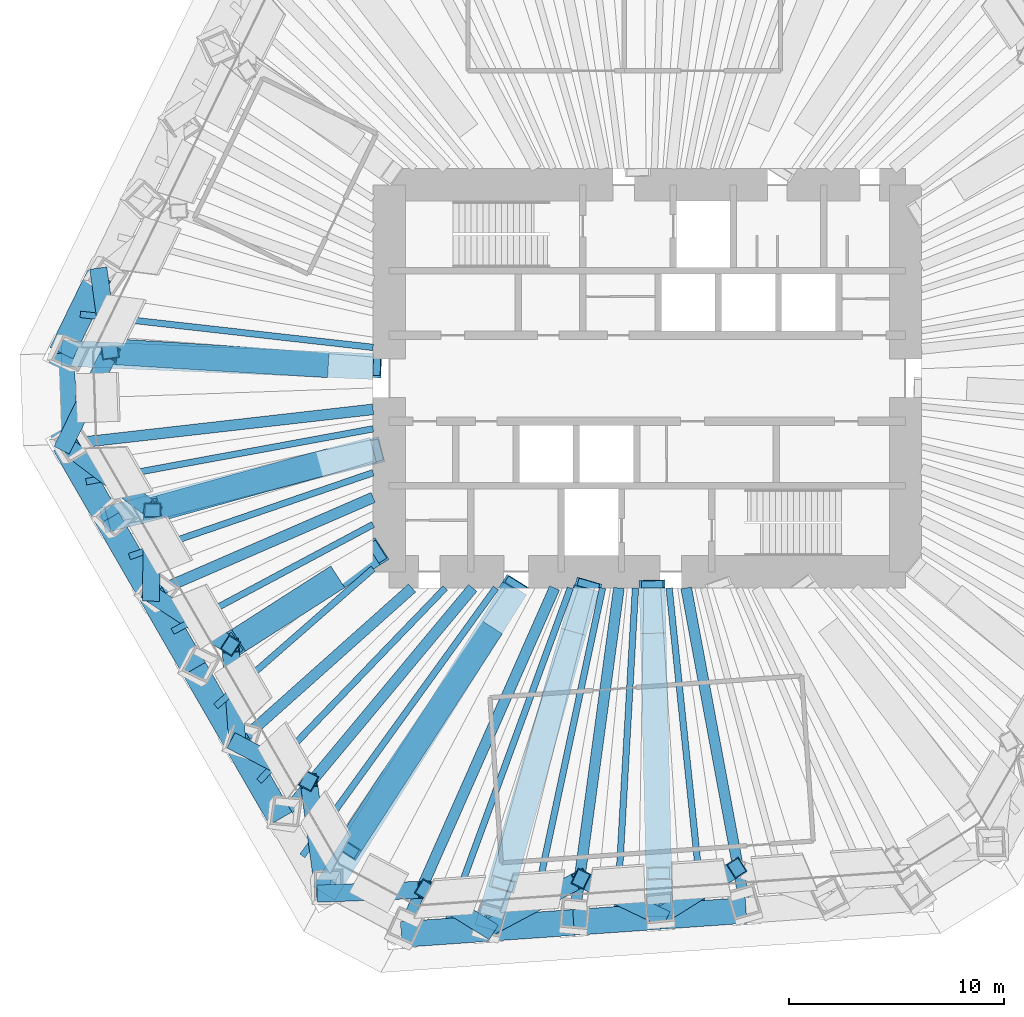
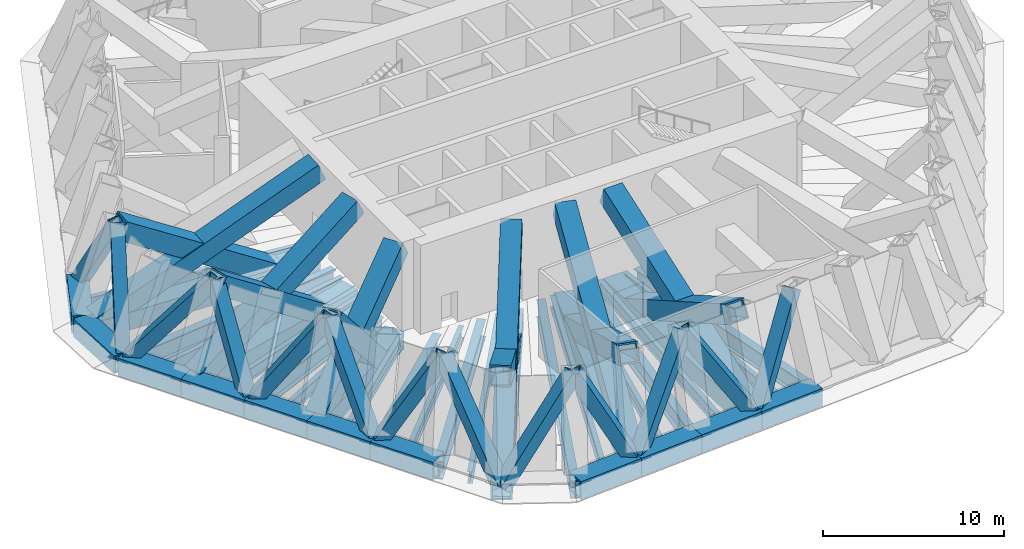
# One storey, part 2 of 12: 36 members, 24 beams.
"""IFC4 building model written with IfcOpenShell, lengths in metres."""

from ifc_helpers import new_model, si_unit, direction, frame, origin, origin_2d, place, context, subcontext, project, spatial, hollow_rectangle, i_section, extrude, material, material_profile, profile_set, type_object, element, save


model = new_model("IFC4")

# Units and contexts
model_context = context("Model", 3, precision=1e-05, world=origin(), true_north=direction((0.0, 1.0)))
body_context = subcontext(model_context, "Body", "Model", "MODEL_VIEW")
ifc_project = project(units=[si_unit("LENGTHUNIT", "METRE"), si_unit("AREAUNIT", "SQUARE_METRE"), si_unit("VOLUMEUNIT", "CUBIC_METRE"), si_unit("PLANEANGLEUNIT", "RADIAN"), si_unit("MASSUNIT", "GRAM", prefix="KILO")], contexts=[model_context])

# Site, building, storey
site_placement = place(None, origin())
site = spatial("IfcSite", under=ifc_project, at=site_placement, CompositionType="ELEMENT")
building_placement = place(site_placement, origin())
building = spatial("IfcBuilding", under=site, at=building_placement, Name="Qingtian Harvest Tower", CompositionType="ELEMENT")
storey_placement = place(building_placement, frame((0.0, 0.0, 174.39990234375)))
storey = spatial("IfcBuildingStorey", under=building, at=storey_placement, Name="L37", CompositionType="ELEMENT", Elevation=174.39990234375)

# Members
ifc_material_1 = material(Name="Steel SM570MC", Category="steel")
ifc_material_profile_1 = material_profile(ifc_material_1, hollow_rectangle(XDim=1.199951171875, YDim=1.199951171875, WallThickness=0.10009765625, at=origin_2d()), Name="BOX1200x1200x100")
ifc_profile_set_1 = profile_set([ifc_material_profile_1], Name="Steel SM570MC")
member_type_1 = type_object("IfcMemberType", Name="Belt truss chord BC2 BOX1200x1200x100", PredefinedType="CHORD", material=ifc_profile_set_1)
for number, where, z_axis, x_axis, name in (
    (1, (4.591552734375, -24.739990234375, -0.599853515625), (-0.997565479251, -0.069736035208, 0.0), (0.069736035208, -0.997565479251, 0.0), "Belt chord BC2 S2"),
    (2, (0.582275390625, -25.020263671875, -0.599853515625), (-0.997561251588, -0.069796485086, 0.0), (0.069796485086, -0.997561251588, 0.0), "Belt chord BC2 S3"),
    (3, (-3.427001953125, -25.30078125, -0.599853515625), (-0.997565479251, -0.069736035208, 0.0), (0.069736035208, -0.997565479251, 0.0), "Belt chord BC2 S4"),
    (4, (-7.436279296875, -25.5810546875, -0.599853515625), (-0.997565479251, -0.069736035208, 0.0), (0.069736035208, -0.997565479251, 0.0), "Belt chord BC2 S5"),
    (5, (-17.04931640625, -20.4697265625, -0.599853515625), (-0.499987116613, 0.866032841884, 0.0), (-0.866032841884, -0.499987116613, 0.0), "Belt chord BC2 SW1"),
    (6, (-19.058837890625, -16.989013671875, -0.599853515625), (-0.500013420409, 0.866017655369, 0.0), (-0.866017655369, -0.500013420409, 0.0), "Belt chord BC2 SW2"),
    (7, (-21.068359375, -13.508544921875, -0.599853515625), (-0.499987116613, 0.866032841884, 0.0), (-0.866032841884, -0.499987116613, 0.0), "Belt chord BC2 SW3"),
    (8, (-23.077880859375, -10.02783203125, -0.599853515625), (-0.499987116613, 0.866032841884, 0.0), (-0.866032841884, -0.499987116613, 0.0), "Belt chord BC2 SW4"),
    (9, (-25.08740234375, -6.547119140625, -0.599853515625), (-0.500013420409, 0.866017655369, 0.0), (-0.866017655369, -0.500013420409, 0.0), "Belt chord BC2 SW5"),
):
    element("IfcMember", number, at=place(storey_placement, frame(where, z_axis=z_axis, x_axis=x_axis)), inside=storey, type_object=member_type_1, Name=name, PredefinedType="CHORD", context=body_context, shape_type="SweptSolid", body=[
        extrude(hollow_rectangle(XDim=1.199951171875, YDim=1.199951171875, WallThickness=0.10009765625, at=origin_2d()), origin(), (0.0, 0.0, 1.0), 4.01904296875),
    ])
member_1_placement = place(storey_placement, frame((-27.096923828125, -3.066650390625, -0.599853515625), z_axis=(-0.034908677553, 0.999390506375, 0.0), x_axis=(-0.999390506375, -0.034908677553, 0.0)))
element("IfcMember", 10, at=member_1_placement, inside=storey, type_object=member_type_1, Name="Belt chord BC2 SWC", PredefinedType="CHORD", context=body_context, shape_type="SweptSolid", body=[
    extrude(hollow_rectangle(XDim=1.199951171875, YDim=1.199951171875, WallThickness=0.10009765625, at=origin_2d()), origin(), (0.0, 0.0, 1.0), 4.23828125),
])
member_2_placement = place(storey_placement, frame((-27.244873046875, 1.1689453125, -0.599853515625), z_axis=(0.438347033158, 0.898805806902, 0.0), x_axis=(-0.898805806902, 0.438347033158, 0.0)))
element("IfcMember", 11, at=member_2_placement, inside=storey, type_object=member_type_1, Name="Belt chord BC2 NW0", PredefinedType="CHORD", context=body_context, shape_type="SweptSolid", body=[
    extrude(hollow_rectangle(XDim=1.199951171875, YDim=1.199951171875, WallThickness=0.10009765625, at=origin_2d()), origin(), (0.0, 0.0, 1.0), 4.01904296875),
])
ifc_material_2 = material(Name="Steel SM570MC", Category="steel")
ifc_material_profile_2 = material_profile(ifc_material_2, hollow_rectangle(XDim=0.800048828125, YDim=0.800048828125, WallThickness=0.050048828125, at=origin_2d()), Name="BOX800x800x50")
ifc_profile_set_2 = profile_set([ifc_material_profile_2], Name="Steel SM570MC")
member_type_2 = type_object("IfcMemberType", Name="Belt truss diagonal BD2 BOX800x800x50", PredefinedType="BRACE", material=ifc_profile_set_2)
member_3_placement = place(storey_placement, frame((4.160400390625, -22.76513671875, 5.400146484375), z_axis=(-0.487424274805, -0.307201011625, -0.817340268669), x_axis=(0.533191367359, -0.845994660606, 0.0)))
element("IfcMember", 12, at=member_3_placement, inside=storey, type_object=member_type_2, Name="Belt truss diagonal BD2 L37 S2", PredefinedType="BRACE", context=body_context, shape_type="SweptSolid", body=[
    extrude(hollow_rectangle(XDim=0.800048828125, YDim=0.800048828125, WallThickness=0.050048828125, at=origin_2d()), origin(), (0.0, 0.0, 1.0), 7.3408203125),
])
member_4_placement = place(storey_placement, frame((0.582275390625, -25.020263671875, -0.599853515625), z_axis=(-0.506531903841, 0.241173589008, 0.827804765846), x_axis=(-0.429886968298, -0.902882713584, 0.0)))
element("IfcMember", 13, at=member_4_placement, inside=storey, type_object=member_type_2, Name="Belt truss diagonal BD2 L37 S3", PredefinedType="BRACE", context=body_context, shape_type="SweptSolid", body=[
    extrude(hollow_rectangle(XDim=0.800048828125, YDim=0.800048828125, WallThickness=0.050048828125, at=origin_2d()), origin(), (0.0, 0.0, 1.0), 7.248046875),
])
member_5_placement = place(storey_placement, frame((-3.089111328125, -23.272216796875, 5.400146484375), z_axis=(-0.56015089039, -0.297503480311, -0.773125254534), x_axis=(0.469060935438, -0.883165804844, 0.0)))
element("IfcMember", 14, at=member_5_placement, inside=storey, type_object=member_type_2, Name="Belt truss diagonal BD2 L37 S4", PredefinedType="BRACE", context=body_context, shape_type="SweptSolid", body=[
    extrude(hollow_rectangle(XDim=0.800048828125, YDim=0.800048828125, WallThickness=0.050048828125, at=origin_2d()), origin(), (0.0, 0.0, 1.0), 7.7607421875),
])
member_6_placement = place(storey_placement, frame((-7.436279296875, -25.5810546875, -0.599853515625), z_axis=(-0.420332047182, 0.260996958043, 0.869023335707), x_axis=(-0.527510514908, -0.849548501654, 0.0)))
element("IfcMember", 15, at=member_6_placement, inside=storey, type_object=member_type_2, Name="Belt truss diagonal BD2 L37 S5", PredefinedType="BRACE", context=body_context, shape_type="SweptSolid", body=[
    extrude(hollow_rectangle(XDim=0.800048828125, YDim=0.800048828125, WallThickness=0.050048828125, at=origin_2d()), origin(), (0.0, 0.0, 1.0), 6.904296875),
])
member_7_placement = place(storey_placement, frame((-10.33837890625, -23.779052734375, 5.400146484375), z_axis=(-0.616621250516, -0.02247848148, -0.786938975577), x_axis=(0.036430078178, -0.99933620439, 0.0)))
element("IfcMember", 16, at=member_7_placement, inside=storey, type_object=member_type_2, Name="Belt truss diagonal BD2 L37 S6", PredefinedType="BRACE", context=body_context, shape_type="SweptSolid", body=[
    extrude(hollow_rectangle(XDim=0.800048828125, YDim=0.800048828125, WallThickness=0.050048828125, at=origin_2d()), origin(), (0.0, 0.0, 1.0), 7.62451171875),
])
member_8_placement = place(storey_placement, frame((-15.039794921875, -23.950439453125, -0.599853515625), z_axis=(-0.088789313539, 0.654431626527, 0.750889941338), x_axis=(-0.990921435942, -0.134442209853, 0.0)))
element("IfcMember", 17, at=member_8_placement, inside=storey, type_object=member_type_2, Name="Belt truss diagonal BD2 L37 SW0", PredefinedType="BRACE", context=body_context, shape_type="SweptSolid", body=[
    extrude(hollow_rectangle(XDim=0.800048828125, YDim=0.800048828125, WallThickness=0.050048828125, at=origin_2d()), origin(), (0.0, 0.0, 1.0), 7.990478515625),
])
member_9_placement = place(storey_placement, frame((-15.749267578125, -18.72119140625, 5.400146484375), z_axis=(-0.468260798872, 0.245080434346, -0.848921318463), x_axis=(-0.463711464568, -0.88598627395, 0.0)))
element("IfcMember", 18, at=member_9_placement, inside=storey, type_object=member_type_2, Name="Belt truss diagonal BD2 L37 SW1", PredefinedType="BRACE", context=body_context, shape_type="SweptSolid", body=[
    extrude(hollow_rectangle(XDim=0.800048828125, YDim=0.800048828125, WallThickness=0.050048828125, at=origin_2d()), origin(), (0.0, 0.0, 1.0), 7.06787109375),
])
member_10_placement = place(storey_placement, frame((-19.058837890625, -16.989013671875, -0.599853515625), z_axis=(-0.042945316791, 0.604632519676, 0.795345972465), x_axis=(-0.997487076918, -0.070848651237, 0.0)))
element("IfcMember", 19, at=member_10_placement, inside=storey, type_object=member_type_2, Name="Belt truss diagonal BD2 L37 SW2", PredefinedType="BRACE", context=body_context, shape_type="SweptSolid", body=[
    extrude(hollow_rectangle(XDim=0.800048828125, YDim=0.800048828125, WallThickness=0.050048828125, at=origin_2d()), origin(), (0.0, 0.0, 1.0), 7.5439453125),
])
member_11_placement = place(storey_placement, frame((-19.3828125, -12.427734375, 5.400146484375), z_axis=(-0.496382434886, 0.322394406008, -0.806018812009), x_axis=(-0.544686429623, -0.838639787623, 0.0)))
element("IfcMember", 20, at=member_11_placement, inside=storey, type_object=member_type_2, Name="Belt truss diagonal BD2 L37 SW3", PredefinedType="BRACE", context=body_context, shape_type="SweptSolid", body=[
    extrude(hollow_rectangle(XDim=0.800048828125, YDim=0.800048828125, WallThickness=0.050048828125, at=origin_2d()), origin(), (0.0, 0.0, 1.0), 7.444091796875),
])
member_12_placement = place(storey_placement, frame((-23.077880859375, -10.02783203125, -0.599853515625), z_axis=(0.008601223718, 0.544334586713, 0.838824103527), x_axis=(-0.999875181973, 0.015799382108, 0.0)))
element("IfcMember", 21, at=member_12_placement, inside=storey, type_object=member_type_2, Name="Belt truss diagonal BD2 L37 SW4", PredefinedType="BRACE", context=body_context, shape_type="SweptSolid", body=[
    extrude(hollow_rectangle(XDim=0.800048828125, YDim=0.800048828125, WallThickness=0.050048828125, at=origin_2d()), origin(), (0.0, 0.0, 1.0), 7.15283203125),
])
member_13_placement = place(storey_placement, frame((-23.016357421875, -6.13427734375, 5.400146484375), z_axis=(-0.517976211724, 0.389396380299, -0.761623990627), x_axis=(-0.600902525908, -0.799322309433, 0.0)))
element("IfcMember", 22, at=member_13_placement, inside=storey, type_object=member_type_2, Name="Belt truss diagonal BD2 L37 SW5", PredefinedType="BRACE", context=body_context, shape_type="SweptSolid", body=[
    extrude(hollow_rectangle(XDim=0.800048828125, YDim=0.800048828125, WallThickness=0.050048828125, at=origin_2d()), origin(), (0.0, 0.0, 1.0), 7.8779296875),
])
member_14_placement = place(storey_placement, frame((-27.096923828125, -3.066650390625, -0.599853515625), z_axis=(0.275227042796, 0.561284044234, 0.780519248067), x_axis=(-0.897865202468, 0.440270460283, 0.0)))
element("IfcMember", 23, at=member_14_placement, inside=storey, type_object=member_type_2, Name="Belt truss diagonal BD2 L37 SW6", PredefinedType="BRACE", context=body_context, shape_type="SweptSolid", body=[
    extrude(hollow_rectangle(XDim=0.800048828125, YDim=0.800048828125, WallThickness=0.050048828125, at=origin_2d()), origin(), (0.0, 0.0, 1.0), 7.687255859375),
])
member_15_placement = place(storey_placement, frame((-24.981201171875, 1.248046875, 5.400146484375), z_axis=(-0.071901927499, 0.506111232865, -0.859465841549), x_axis=(-0.99005865636, -0.140655099328, 0.0)))
element("IfcMember", 24, at=member_15_placement, inside=storey, type_object=member_type_2, Name="Belt truss diagonal BD2 L37 NW0", PredefinedType="BRACE", context=body_context, shape_type="SweptSolid", body=[
    extrude(hollow_rectangle(XDim=0.800048828125, YDim=0.800048828125, WallThickness=0.050048828125, at=origin_2d()), origin(), (0.0, 0.0, 1.0), 6.981201171875),
])

# Beams
ifc_material_3 = material(Name="Steel SN490B", Category="steel")
ifc_material_profile_3 = material_profile(ifc_material_3, i_section(OverallWidth=0.300048828125, OverallDepth=0.800048828125, WebThickness=0.013916015625, FlangeThickness=0.02587890625, at=origin_2d()), Name="H800x300x14x26")
ifc_profile_set_3 = profile_set([ifc_material_profile_3], Name="Steel SN490B")
beam_type_1 = type_object("IfcBeamType", Name="Floor joist J1 H800x300x14x26", PredefinedType="JOIST", material=ifc_profile_set_3)
beam_1_placement = place(storey_placement, frame((2.5869140625, -24.880126953125, -0.679931640625), z_axis=(-0.103423163361, 0.994637446148, 0.0), x_axis=(-0.994637446148, -0.103423163361, 0.0)))
element("IfcBeam", 25, at=beam_1_placement, inside=storey, type_object=beam_type_1, Name="Floor joist J1 S2", PredefinedType="JOIST", context=body_context, shape_type="SweptSolid", body=[
    extrude(i_section(OverallWidth=0.300048828125, OverallDepth=0.800048828125, WebThickness=0.013916015625, FlangeThickness=0.02587890625, at=origin_2d()), origin(), (0.0, 0.0, 1.0), 15.211669921875),
])
beam_2_placement = place(storey_placement, frame((-1.42236328125, -25.160400390625, -0.679931640625), z_axis=(0.05643626267, 0.998406204035, 0.0), x_axis=(-0.998406204035, 0.05643626267, 0.0)))
element("IfcBeam", 26, at=beam_2_placement, inside=storey, type_object=beam_type_1, Name="Floor joist J1 S3", PredefinedType="JOIST", context=body_context, shape_type="SweptSolid", body=[
    extrude(i_section(OverallWidth=0.300048828125, OverallDepth=0.800048828125, WebThickness=0.013916015625, FlangeThickness=0.02587890625, at=origin_2d()), origin(), (0.0, 0.0, 1.0), 15.43505859375),
])
beam_3_placement = place(storey_placement, frame((-5.431640625, -25.44091796875, -0.679931640625), z_axis=(0.208799533611, 0.977958462699, 0.0), x_axis=(-0.977958462699, 0.208799533611, 0.0)))
element("IfcBeam", 27, at=beam_3_placement, inside=storey, type_object=beam_type_1, Name="Floor joist J1 S4", PredefinedType="JOIST", context=body_context, shape_type="SweptSolid", body=[
    extrude(i_section(OverallWidth=0.300048828125, OverallDepth=0.800048828125, WebThickness=0.013916015625, FlangeThickness=0.02587890625, at=origin_2d()), origin(), (0.0, 0.0, 1.0), 16.044677734375),
])
beam_4_placement = place(storey_placement, frame((-9.44091796875, -25.72119140625, -0.679931640625), z_axis=(0.344563279886, 0.938763093732, 0.0), x_axis=(-0.938763093732, 0.344563279886, 0.0)))
element("IfcBeam", 28, at=beam_4_placement, inside=storey, type_object=beam_type_1, Name="Floor joist J1 S5", PredefinedType="JOIST", context=body_context, shape_type="SweptSolid", body=[
    extrude(i_section(OverallWidth=0.300048828125, OverallDepth=0.800048828125, WebThickness=0.013916015625, FlangeThickness=0.02587890625, at=origin_2d()), origin(), (0.0, 0.0, 1.0), 17.012939453125),
])
beam_5_placement = place(storey_placement, frame((-16.04443359375, -22.2099609375, -0.679931640625), z_axis=(0.585581016658, 0.810613886465, 0.0), x_axis=(-0.810613886465, 0.585581016658, 0.0)))
element("IfcBeam", 29, at=beam_5_placement, inside=storey, type_object=beam_type_1, Name="Floor joist J1 SW0", PredefinedType="JOIST", context=body_context, shape_type="SweptSolid", body=[
    extrude(i_section(OverallWidth=0.300048828125, OverallDepth=0.800048828125, WebThickness=0.013916015625, FlangeThickness=0.02587890625, at=origin_2d()), origin(), (0.0, 0.0, 1.0), 15.37109375),
])
beam_6_placement = place(storey_placement, frame((-18.053955078125, -18.7294921875, -0.679931640625), z_axis=(0.693999346894, 0.719975629108, 0.0), x_axis=(-0.719975629108, 0.693999346894, 0.0)))
element("IfcBeam", 30, at=beam_6_placement, inside=storey, type_object=beam_type_1, Name="Floor joist J1 SW1", PredefinedType="JOIST", context=body_context, shape_type="SweptSolid", body=[
    extrude(i_section(OverallWidth=0.300048828125, OverallDepth=0.800048828125, WebThickness=0.013916015625, FlangeThickness=0.02587890625, at=origin_2d()), origin(), (0.0, 0.0, 1.0), 12.471923828125),
])
beam_7_placement = place(storey_placement, frame((-20.063720703125, -15.248779296875, -0.679931640625), z_axis=(0.752618713562, 0.658456583228, 0.0), x_axis=(-0.658456583228, 0.752618713562, 0.0)))
element("IfcBeam", 31, at=beam_7_placement, inside=storey, type_object=beam_type_1, Name="Floor joist J1 SW2", PredefinedType="JOIST", context=body_context, shape_type="SweptSolid", body=[
    extrude(i_section(OverallWidth=0.300048828125, OverallDepth=0.800048828125, WebThickness=0.013916015625, FlangeThickness=0.02587890625, at=origin_2d()), origin(), (0.0, 0.0, 1.0), 9.7177734375),
])
beam_8_placement = place(storey_placement, frame((-22.0732421875, -11.76806640625, -0.679931640625), z_axis=(0.882429048443, 0.47044550637, 0.0), x_axis=(-0.47044550637, 0.882429048443, 0.0)))
element("IfcBeam", 32, at=beam_8_placement, inside=storey, type_object=beam_type_1, Name="Floor joist J1 SW3", PredefinedType="JOIST", context=body_context, shape_type="SweptSolid", body=[
    extrude(i_section(OverallWidth=0.300048828125, OverallDepth=0.800048828125, WebThickness=0.013916015625, FlangeThickness=0.02587890625, at=origin_2d()), origin(), (0.0, 0.0, 1.0), 10.5654296875),
])
beam_9_placement = place(storey_placement, frame((-24.082763671875, -8.28759765625, -0.679931640625), z_axis=(0.945577150072, 0.325397992099, 0.0), x_axis=(-0.325397992099, 0.945577150072, 0.0)))
element("IfcBeam", 33, at=beam_9_placement, inside=storey, type_object=beam_type_1, Name="Floor joist J1 SW4", PredefinedType="JOIST", context=body_context, shape_type="SweptSolid", body=[
    extrude(i_section(OverallWidth=0.300048828125, OverallDepth=0.800048828125, WebThickness=0.013916015625, FlangeThickness=0.02587890625, at=origin_2d()), origin(), (0.0, 0.0, 1.0), 11.985107421875),
])
beam_10_placement = place(storey_placement, frame((-26.09228515625, -4.806884765625, -0.679931640625), z_axis=(0.983450319804, 0.181178002192, 0.0), x_axis=(-0.181178002192, 0.983450319804, 0.0)))
element("IfcBeam", 34, at=beam_10_placement, inside=storey, type_object=beam_type_1, Name="Floor joist J1 SW5", PredefinedType="JOIST", context=body_context, shape_type="SweptSolid", body=[
    extrude(i_section(OverallWidth=0.300048828125, OverallDepth=0.800048828125, WebThickness=0.013916015625, FlangeThickness=0.02587890625, at=origin_2d()), origin(), (0.0, 0.0, 1.0), 13.56689453125),
])
beam_11_placement = place(storey_placement, frame((-26.364013671875, 2.97509765625, -0.679931640625), z_axis=(0.993692330348, -0.112140771387, 0.0), x_axis=(0.112140771387, 0.993692330348, 0.0)))
element("IfcBeam", 35, at=beam_11_placement, inside=storey, type_object=beam_type_1, Name="Floor joist J1 NW0", PredefinedType="JOIST", context=body_context, shape_type="SweptSolid", body=[
    extrude(i_section(OverallWidth=0.300048828125, OverallDepth=0.800048828125, WebThickness=0.013916015625, FlangeThickness=0.02587890625, at=origin_2d()), origin(), (0.0, 0.0, 1.0), 13.700439453125),
])
ifc_material_4 = material(Name="Steel SM570MC", Category="steel")
ifc_material_profile_4 = material_profile(ifc_material_4, hollow_rectangle(XDim=1.199951171875, YDim=1.199951171875, WallThickness=0.10009765625, at=origin_2d()), Name="BOX1200x1200x100")
ifc_profile_set_4 = profile_set([ifc_material_profile_4], Name="Steel SM570MC")
beam_type_2 = type_object("IfcBeamType", Name="Outrigger chord beam OC2 BOX1200x1200x100", PredefinedType="BEAM", material=ifc_profile_set_4)
beam_12_placement = place(storey_placement, frame((0.582275390625, -25.020263671875, -0.8798828125), z_axis=(-0.023272189962, 0.999729165912, 0.0), x_axis=(-0.999729165912, -0.023272189962, 0.0)))
element("IfcBeam", 36, at=beam_12_placement, inside=storey, type_object=beam_type_2, Name="Floor beam OC2 S3", PredefinedType="BEAM", context=body_context, shape_type="SweptSolid", body=[
    extrude(hollow_rectangle(XDim=1.199951171875, YDim=1.199951171875, WallThickness=0.10009765625, at=origin_2d()), origin(), (0.0, 0.0, 1.0), 15.2744140625),
])
beam_13_placement = place(storey_placement, frame((-7.436279296875, -25.5810546875, -0.8798828125), z_axis=(0.279142362954, 0.960249728562, 0.0), x_axis=(-0.960249728562, 0.279142362954, 0.0)))
element("IfcBeam", 37, at=beam_13_placement, inside=storey, type_object=beam_type_2, Name="Floor beam OC2 S5", PredefinedType="BEAM", context=body_context, shape_type="SweptSolid", body=[
    extrude(hollow_rectangle(XDim=1.199951171875, YDim=1.199951171875, WallThickness=0.10009765625, at=origin_2d()), origin(), (0.0, 0.0, 1.0), 16.486328125),
])
beam_14_placement = place(storey_placement, frame((-15.039794921875, -23.950439453125, -0.8798828125), z_axis=(0.531797274443, 0.846871689747, 0.0), x_axis=(-0.846871689747, 0.531797274443, 0.0)))
element("IfcBeam", 38, at=beam_14_placement, inside=storey, type_object=beam_type_2, Name="Floor beam OC2 SW0", PredefinedType="BEAM", context=body_context, shape_type="SweptSolid", body=[
    extrude(hollow_rectangle(XDim=1.199951171875, YDim=1.199951171875, WallThickness=0.10009765625, at=origin_2d()), origin(), (0.0, 0.0, 1.0), 16.76806640625),
])
beam_15_placement = place(storey_placement, frame((-21.068359375, -13.508544921875, -0.8798828125), z_axis=(0.841823295753, 0.539753220211, 0.0), x_axis=(-0.539753220211, 0.841823295753, 0.0)))
element("IfcBeam", 39, at=beam_15_placement, inside=storey, type_object=beam_type_2, Name="Floor beam OC2 SW3", PredefinedType="BEAM", context=body_context, shape_type="SweptSolid", body=[
    extrude(hollow_rectangle(XDim=1.199951171875, YDim=1.199951171875, WallThickness=0.10009765625, at=origin_2d()), origin(), (0.0, 0.0, 1.0), 9.88134765625),
])
beam_16_placement = place(storey_placement, frame((-25.08740234375, -6.547119140625, -0.8798828125), z_axis=(0.967592867696, 0.252515429991, 0.0), x_axis=(-0.252515429991, 0.967592867696, 0.0)))
element("IfcBeam", 40, at=beam_16_placement, inside=storey, type_object=beam_type_2, Name="Floor beam OC2 SW5", PredefinedType="BEAM", context=body_context, shape_type="SweptSolid", body=[
    extrude(hollow_rectangle(XDim=1.199951171875, YDim=1.199951171875, WallThickness=0.10009765625, at=origin_2d()), origin(), (0.0, 0.0, 1.0), 12.750732421875),
])
beam_17_placement = place(storey_placement, frame((-27.244873046875, 1.1689453125, -0.8798828125), z_axis=(0.999081074678, -0.042860310542, 0.0), x_axis=(0.042860310542, 0.999081074678, 0.0)))
element("IfcBeam", 41, at=beam_17_placement, inside=storey, type_object=beam_type_2, Name="Floor beam OC2 NW0", PredefinedType="BEAM", context=body_context, shape_type="SweptSolid", body=[
    extrude(hollow_rectangle(XDim=1.199951171875, YDim=1.199951171875, WallThickness=0.10009765625, at=origin_2d()), origin(), (0.0, 0.0, 1.0), 14.50830078125),
])

# Members
ifc_material_5 = material(Name="Steel SM570MC", Category="steel")
ifc_material_profile_5 = material_profile(ifc_material_5, hollow_rectangle(XDim=1.199951171875, YDim=1.199951171875, WallThickness=0.10009765625, at=origin_2d()), Name="BOX1200x1200x100")
ifc_profile_set_5 = profile_set([ifc_material_profile_5], Name="Steel SM570MC")
member_type_3 = type_object("IfcMemberType", Name="Outrigger diagonal OT2 BOX1200x1200x100", PredefinedType="BRACE", material=ifc_profile_set_5)
member_16_placement = place(storey_placement, frame((-7.436279296875, -25.5810546875, -0.8798828125), z_axis=(0.264712610535, 0.900741178998, 0.344372708387), x_axis=(-0.959426394993, 0.281959203771, 0.0)))
element("IfcMember", 42, at=member_16_placement, inside=storey, type_object=member_type_3, Name="Outrigger diagonal OT2 L37 S5-1", PredefinedType="BRACE", context=body_context, shape_type="SweptSolid", body=[
    extrude(hollow_rectangle(XDim=1.199951171875, YDim=1.199951171875, WallThickness=0.10009765625, at=origin_2d()), origin(), (0.0, 0.0, 1.0), 17.741943359375),
])
member_17_placement = place(storey_placement, frame((-3.504150390625, -12.0546875, -0.8798828125), z_axis=(-0.239744131762, -0.856867338418, 0.456400170506), x_axis=(0.963016154613, -0.269443660073, 0.0)))
element("IfcMember", 43, at=member_17_placement, inside=storey, type_object=member_type_3, Name="Outrigger diagonal OT2 L37 S5-2", PredefinedType="BRACE", context=body_context, shape_type="SweptSolid", body=[
    extrude(hollow_rectangle(XDim=1.199951171875, YDim=1.199951171875, WallThickness=0.10009765625, at=origin_2d()), origin(), (0.0, 0.0, 1.0), 13.386962890625),
])
member_18_placement = place(storey_placement, frame((-25.08740234375, -6.547119140625, -0.8798828125), z_axis=(0.87550437813, 0.223583291373, 0.428372029543), x_axis=(-0.247435461349, 0.96890437736, 0.0)))
element("IfcMember", 44, at=member_18_placement, inside=storey, type_object=member_type_3, Name="Outrigger diagonal OT2 L37 SW5-1", PredefinedType="BRACE", context=body_context, shape_type="SweptSolid", body=[
    extrude(hollow_rectangle(XDim=1.199951171875, YDim=1.199951171875, WallThickness=0.10009765625, at=origin_2d()), origin(), (0.0, 0.0, 1.0), 14.262939453125),
])
member_19_placement = place(storey_placement, frame((-15.072265625, -3.93359375, -0.8798828125), z_axis=(-0.774224882039, -0.21447687657, 0.595462426563), x_axis=(0.266967105839, -0.963705641988, 0.0)))
element("IfcMember", 45, at=member_19_placement, inside=storey, type_object=member_type_3, Name="Outrigger diagonal OT2 L37 SW5-2", PredefinedType="BRACE", context=body_context, shape_type="SweptSolid", body=[
    extrude(hollow_rectangle(XDim=1.199951171875, YDim=1.199951171875, WallThickness=0.10009765625, at=origin_2d()), origin(), (0.0, 0.0, 1.0), 10.2607421875),
])
member_20_placement = place(storey_placement, frame((0.582275390625, -25.020263671875, -0.8798828125), z_axis=(-0.021632216526, 0.929464236745, 0.368277449514), x_axis=(-0.999729273799, -0.02326755486, 0.0)))
element("IfcMember", 46, at=member_20_placement, inside=storey, type_object=member_type_3, Name="Outrigger diagonal OT2 L37 S3-1", PredefinedType="BRACE", context=body_context, shape_type="SweptSolid", body=[
    extrude(hollow_rectangle(XDim=1.199951171875, YDim=1.199951171875, WallThickness=0.10009765625, at=origin_2d()), origin(), (0.0, 0.0, 1.0), 16.59033203125),
])
member_21_placement = place(storey_placement, frame((0.28271484375, -12.1494140625, -0.8798828125), z_axis=(0.020280639858, -0.871538964391, 0.489906653553), x_axis=(0.999729365373, 0.023263619922, 0.0)))
element("IfcMember", 47, at=member_21_placement, inside=storey, type_object=member_type_3, Name="Outrigger diagonal OT2 L37 S3-2", PredefinedType="BRACE", context=body_context, shape_type="SweptSolid", body=[
    extrude(hollow_rectangle(XDim=1.199951171875, YDim=1.199951171875, WallThickness=0.10009765625, at=origin_2d()), origin(), (0.0, 0.0, 1.0), 12.471435546875),
])
member_22_placement = place(storey_placement, frame((-21.068359375, -13.508544921875, -0.8798828125), z_axis=(0.719503171697, 0.461331676715, 0.519122596289), x_axis=(-0.539758734505, 0.841819760118, 0.0)))
element("IfcMember", 48, at=member_22_placement, inside=storey, type_object=member_type_3, Name="Outrigger diagonal OT2 L37 SW3-1", PredefinedType="BRACE", context=body_context, shape_type="SweptSolid", body=[
    extrude(hollow_rectangle(XDim=1.199951171875, YDim=1.199951171875, WallThickness=0.10009765625, at=origin_2d()), origin(), (0.0, 0.0, 1.0), 11.76953125),
])
member_23_placement = place(storey_placement, frame((-14.770263671875, -9.470458984375, -0.8798828125), z_axis=(-0.562040091842, -0.360344658471, 0.744488188136), x_axis=(0.539732514193, -0.841836571505, 0.0)))
element("IfcMember", 49, at=member_23_placement, inside=storey, type_object=member_type_3, Name="Outrigger diagonal OT2 L37 SW3-2", PredefinedType="BRACE", context=body_context, shape_type="SweptSolid", body=[
    extrude(hollow_rectangle(XDim=1.199951171875, YDim=1.199951171875, WallThickness=0.10009765625, at=origin_2d()), origin(), (0.0, 0.0, 1.0), 8.206787109375),
])
member_24_placement = place(storey_placement, frame((-15.039794921875, -23.950439453125, -0.8798828125), z_axis=(0.496593451088, 0.798611941491, 0.340020457098), x_axis=(-0.849209509033, 0.52805606688, 0.0)))
element("IfcMember", 50, at=member_24_placement, inside=storey, type_object=member_type_3, Name="Outrigger diagonal OT2 L37 SW0-1", PredefinedType="BRACE", context=body_context, shape_type="SweptSolid", body=[
    extrude(hollow_rectangle(XDim=1.199951171875, YDim=1.199951171875, WallThickness=0.10009765625, at=origin_2d()), origin(), (0.0, 0.0, 1.0), 17.968994140625),
])
member_25_placement = place(storey_placement, frame((-7.39892578125, -11.782470703125, -0.8798828125), z_axis=(-0.484654717716, -0.748134333891, 0.453216088692), x_axis=(0.839279516483, -0.543700186878, 0.0)))
element("IfcMember", 51, at=member_25_placement, inside=storey, type_object=member_type_3, Name="Outrigger diagonal OT2 L37 SW0-2", PredefinedType="BRACE", context=body_context, shape_type="SweptSolid", body=[
    extrude(hollow_rectangle(XDim=1.199951171875, YDim=1.199951171875, WallThickness=0.10009765625, at=origin_2d()), origin(), (0.0, 0.0, 1.0), 13.481201171875),
])
member_26_placement = place(storey_placement, frame((-27.244873046875, 1.1689453125, -0.8798828125), z_axis=(0.922367629103, -0.033982369931, 0.384815742034), x_axis=(0.036817564858, 0.999322003619, 0.0)))
element("IfcMember", 52, at=member_26_placement, inside=storey, type_object=member_type_3, Name="Outrigger diagonal OT2 L37 NW0-1", PredefinedType="BRACE", context=body_context, shape_type="SweptSolid", body=[
    extrude(hollow_rectangle(XDim=1.199951171875, YDim=1.199951171875, WallThickness=0.10009765625, at=origin_2d()), origin(), (0.0, 0.0, 1.0), 15.87744140625),
])
member_27_placement = place(storey_placement, frame((-15.147705078125, 0.64990234375, -0.8798828125), z_axis=(-0.848264272628, 0.051597583493, 0.527053520205), x_axis=(-0.060715032886, -0.998155140638, 0.0)))
element("IfcMember", 53, at=member_27_placement, inside=storey, type_object=member_type_3, Name="Outrigger diagonal OT2 L37 NW0-2", PredefinedType="BRACE", context=body_context, shape_type="SweptSolid", body=[
    extrude(hollow_rectangle(XDim=1.199951171875, YDim=1.199951171875, WallThickness=0.10009765625, at=origin_2d()), origin(), (0.0, 0.0, 1.0), 11.592529296875),
])

# Beams
ifc_material_6 = material(Name="Steel SM570MC", Category="steel")
ifc_material_profile_6 = material_profile(ifc_material_6, i_section(OverallWidth=0.5, OverallDepth=1.199951171875, WebThickness=0.02490234375, FlangeThickness=0.050048828125, at=origin_2d()), Name="H1200x500x25x50")
ifc_profile_set_6 = profile_set([ifc_material_profile_6], Name="Steel SM570MC")
beam_type_3 = type_object("IfcBeamType", Name="Plant corner beam FB10 H1200x500x25x50", PredefinedType="BEAM", material=ifc_profile_set_6)
beam_18_placement = place(storey_placement, frame((-11.445556640625, -25.861328125, -0.8798828125), z_axis=(0.404705702755, 0.914446988161, 0.0), x_axis=(-0.914446988161, 0.404705702755, 0.0)))
element("IfcBeam", 54, at=beam_18_placement, inside=storey, type_object=beam_type_3, Name="Floor beam FB10 S6", PredefinedType="BEAM", context=body_context, shape_type="SweptSolid", body=[
    extrude(i_section(OverallWidth=0.5, OverallDepth=1.199951171875, WebThickness=0.02490234375, FlangeThickness=0.050048828125, at=origin_2d()), origin(), (0.0, 0.0, 1.0), 17.61865234375),
])
beam_19_placement = place(storey_placement, frame((-27.096923828125, -3.066650390625, -0.8798828125), z_axis=(0.993656070393, 0.112461610213, 0.0), x_axis=(-0.112461610213, 0.993656070393, 0.0)))
element("IfcBeam", 55, at=beam_19_placement, inside=storey, type_object=beam_type_3, Name="Floor beam FB10 SW6", PredefinedType="BEAM", context=body_context, shape_type="SweptSolid", body=[
    extrude(i_section(OverallWidth=0.5, OverallDepth=1.199951171875, WebThickness=0.02490234375, FlangeThickness=0.050048828125, at=origin_2d()), origin(), (0.0, 0.0, 1.0), 14.4384765625),
])
ifc_material_7 = material(Name="Steel SM570MC", Category="steel")
ifc_material_profile_7 = material_profile(ifc_material_7, i_section(OverallWidth=0.5, OverallDepth=1.199951171875, WebThickness=0.02490234375, FlangeThickness=0.050048828125, at=origin_2d()), Name="H1200x500x25x50")
ifc_profile_set_7 = profile_set([ifc_material_profile_7], Name="Steel SM570MC")
beam_type_4 = type_object("IfcBeamType", Name="Plant floor beam FB7 H1200x500x25x50", PredefinedType="BEAM", material=ifc_profile_set_7)
beam_20_placement = place(storey_placement, frame((4.591552734375, -24.739990234375, -0.8798828125), z_axis=(-0.182473442032, 0.983210782565, 0.0), x_axis=(-0.983210782565, -0.182473442032, 0.0)))
element("IfcBeam", 56, at=beam_20_placement, inside=storey, type_object=beam_type_4, Name="Floor beam FB7 S2", PredefinedType="BEAM", context=body_context, shape_type="SweptSolid", body=[
    extrude(i_section(OverallWidth=0.5, OverallDepth=1.199951171875, WebThickness=0.02490234375, FlangeThickness=0.050048828125, at=origin_2d()), origin(), (0.0, 0.0, 1.0), 15.245849609375),
])
beam_21_placement = place(storey_placement, frame((-3.427001953125, -25.30078125, -0.8798828125), z_axis=(0.134230066005, 0.990950195207, 0.0), x_axis=(-0.990950195207, 0.134230066005, 0.0)))
element("IfcBeam", 57, at=beam_21_placement, inside=storey, type_object=beam_type_4, Name="Floor beam FB7 S4", PredefinedType="BEAM", context=body_context, shape_type="SweptSolid", body=[
    extrude(i_section(OverallWidth=0.5, OverallDepth=1.199951171875, WebThickness=0.02490234375, FlangeThickness=0.050048828125, at=origin_2d()), origin(), (0.0, 0.0, 1.0), 15.69287109375),
])
beam_22_placement = place(storey_placement, frame((-17.04931640625, -20.4697265625, -0.8798828125), z_axis=(0.639988150605, 0.768384778015, 0.0), x_axis=(-0.768384778015, 0.639988150605, 0.0)))
element("IfcBeam", 58, at=beam_22_placement, inside=storey, type_object=beam_type_4, Name="Floor beam FB7 SW1", PredefinedType="BEAM", context=body_context, shape_type="SweptSolid", body=[
    extrude(i_section(OverallWidth=0.5, OverallDepth=1.199951171875, WebThickness=0.02490234375, FlangeThickness=0.050048828125, at=origin_2d()), origin(), (0.0, 0.0, 1.0), 13.950927734375),
])
beam_23_placement = place(storey_placement, frame((-19.058837890625, -16.989013671875, -0.8798828125), z_axis=(0.746483707908, 0.665403692376, 0.0), x_axis=(-0.665403692376, 0.746483707908, 0.0)))
element("IfcBeam", 59, at=beam_23_placement, inside=storey, type_object=beam_type_4, Name="Floor beam FB7 SW2", PredefinedType="BEAM", context=body_context, shape_type="SweptSolid", body=[
    extrude(i_section(OverallWidth=0.5, OverallDepth=1.199951171875, WebThickness=0.02490234375, FlangeThickness=0.050048828125, at=origin_2d()), origin(), (0.0, 0.0, 1.0), 10.879150390625),
])
beam_24_placement = place(storey_placement, frame((-23.077880859375, -10.02783203125, -0.8798828125), z_axis=(0.917154138631, 0.398532666154, 0.0), x_axis=(-0.398532666154, 0.917154138631, 0.0)))
element("IfcBeam", 60, at=beam_24_placement, inside=storey, type_object=beam_type_4, Name="Floor beam FB7 SW4", PredefinedType="BEAM", context=body_context, shape_type="SweptSolid", body=[
    extrude(i_section(OverallWidth=0.5, OverallDepth=1.199951171875, WebThickness=0.02490234375, FlangeThickness=0.050048828125, at=origin_2d()), origin(), (0.0, 0.0, 1.0), 11.2607421875),
])

save(model, "model.ifc")
